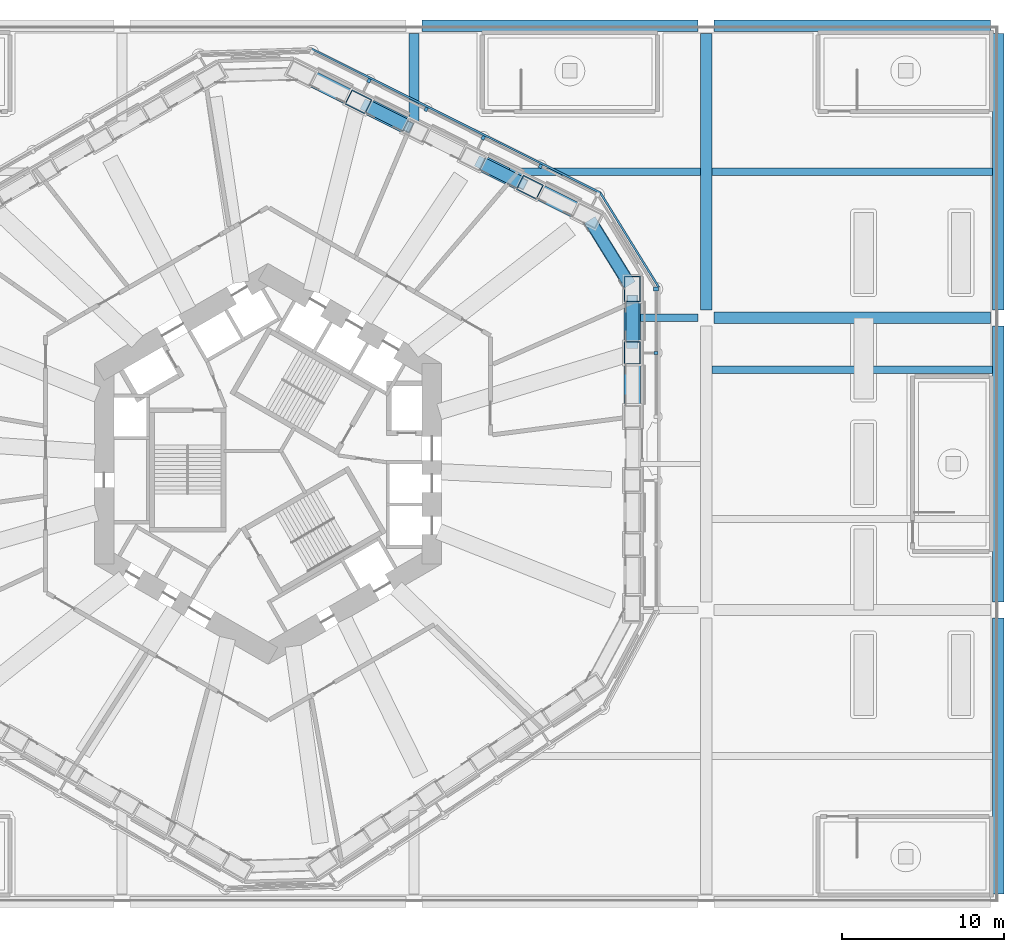
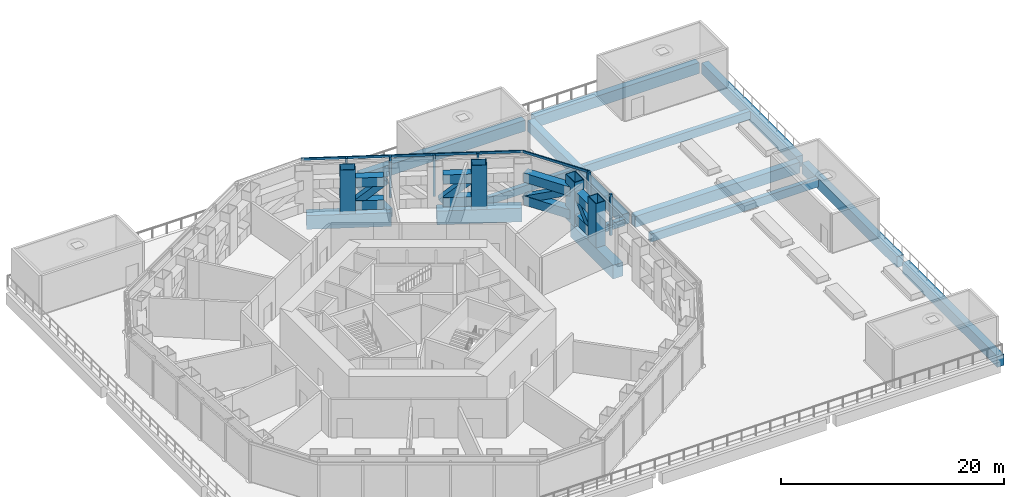
# One storey, part 4 of 20: 24 members, 15 beams, 3 elements without a shape of their own.
"""IFC4 building model written with IfcOpenShell, lengths in metres."""

from ifc_helpers import new_model, si_unit, direction, frame, origin, origin_2d, place, context, subcontext, project, spatial, rectangle, hollow_rectangle, extrude, material, material_profile, profile_set, type_object, element, aggregate, save


model = new_model("IFC4")

# Units and contexts
model_context = context("Model", 3, precision=1e-05, world=origin(), true_north=direction((0.0, 1.0)))
body_context = subcontext(model_context, "Body", "Model", "MODEL_VIEW")
ifc_project = project(units=[si_unit("LENGTHUNIT", "METRE"), si_unit("AREAUNIT", "SQUARE_METRE"), si_unit("VOLUMEUNIT", "CUBIC_METRE"), si_unit("PLANEANGLEUNIT", "RADIAN"), si_unit("MASSUNIT", "GRAM", prefix="KILO")], contexts=[model_context])

# Site, building, storey
site_placement = place(None, origin())
site = spatial("IfcSite", under=ifc_project, at=site_placement, CompositionType="ELEMENT")
building_placement = place(site_placement, origin())
building = spatial("IfcBuilding", under=site, at=building_placement, Name="Vanh Sen Convention Tower", CompositionType="ELEMENT")
storey_placement = place(building_placement, frame((0.0, 0.0, 34.5)))
storey = spatial("IfcBuildingStorey", under=building, at=storey_placement, Name="L05", CompositionType="ELEMENT", Elevation=34.5)

# Curtain wall, members
ifc_material_1 = material(Name="Concrete C50/60", Category="concrete")
curtain_wall_type = type_object("IfcCurtainWallType", Name="Outer skin hotel zone", PredefinedType="NOTDEFINED", material=ifc_material_1)
curtain_wall_1_placement = place(storey_placement, origin())
curtain_wall_1 = element("IfcCurtainWall", 1, at=curtain_wall_1_placement, inside=storey, type_object=curtain_wall_type, Name="OUTER SKIN E L05", PredefinedType="NOTDEFINED")
ifc_material_profile_1 = material_profile(ifc_material_1, rectangle(XDim=0.25, YDim=0.300048828125, at=origin_2d()), Name="Outer skin precast corner fin 250 x 300")
ifc_profile_set_1 = profile_set([ifc_material_profile_1], Name="Concrete C50/60")
member_type_1 = type_object("IfcMemberType", Name="Outer skin precast corner fin 250 x 300", PredefinedType="MULLION", material=ifc_profile_set_1)
member_1_placement = place(storey_placement, frame((23.89990234375, 10.773681640625, 0.0), z_axis=(0.0, 0.0, 1.0), x_axis=(0.0, 1.0, 0.0)))
member_1 = element("IfcMember", 2, at=member_1_placement, type_object=member_type_1, Name="OUTER SKIN CORNER FIN 6 E L05", PredefinedType="MULLION", context=body_context, shape_type="SweptSolid", body=[
    extrude(rectangle(XDim=0.25, YDim=0.300048828125, at=origin_2d()), origin(), (0.0, 0.0, 1.0), 4.5),
])
ifc_material_profile_2 = material_profile(ifc_material_1, rectangle(XDim=0.199951171875, YDim=0.25, at=origin_2d()), Name="Outer skin precast fin 200 x 250")
ifc_profile_set_2 = profile_set([ifc_material_profile_2], Name="Concrete C50/60")
member_type_2 = type_object("IfcMemberType", Name="Outer skin precast fin 200 x 250", PredefinedType="MULLION", material=ifc_profile_set_2)
member_2_placement = place(storey_placement, frame((23.89990234375, 6.839111328125, 0.0), z_axis=(0.0, 0.0, 1.0), x_axis=(0.0, 1.0, 0.0)))
member_2 = element("IfcMember", 3, at=member_2_placement, type_object=member_type_2, Name="OUTER SKIN fin 5 E L05", PredefinedType="MULLION", context=body_context, shape_type="SweptSolid", body=[
    extrude(rectangle(XDim=0.199951171875, YDim=0.25, at=origin_2d()), origin(), (0.0, 0.0, 1.0), 4.5),
])
aggregate(curtain_wall_1, [member_2, member_1])

curtain_wall_2_placement = place(storey_placement, origin())
curtain_wall_2 = element("IfcCurtainWall", 4, at=curtain_wall_2_placement, inside=storey, type_object=curtain_wall_type, Name="OUTER SKIN NE L05", PredefinedType="NOTDEFINED")
member_3_placement = place(storey_placement, frame((16.78466796875, 18.33740234375, 0.0), z_axis=(0.0, 0.0, 1.0), x_axis=(-0.894934361602, 0.44619781311, 0.0)))
member_3 = element("IfcMember", 5, at=member_3_placement, type_object=member_type_2, Name="OUTER SKIN fin 2 NE L05", PredefinedType="MULLION", context=body_context, shape_type="SweptSolid", body=[
    extrude(rectangle(XDim=0.199951171875, YDim=0.25, at=origin_2d()), origin(), (0.0, 0.0, 1.0), 4.5),
])
member_4_placement = place(storey_placement, frame((13.263427734375, 20.093017578125, 0.0), z_axis=(0.0, 0.0, 1.0), x_axis=(-0.894934361602, 0.44619781311, 0.0)))
member_4 = element("IfcMember", 6, at=member_4_placement, type_object=member_type_2, Name="OUTER SKIN fin 3 NE L05", PredefinedType="MULLION", context=body_context, shape_type="SweptSolid", body=[
    extrude(rectangle(XDim=0.199951171875, YDim=0.25, at=origin_2d()), origin(), (0.0, 0.0, 1.0), 4.5),
])
member_5_placement = place(storey_placement, frame((9.7421875, 21.8486328125, 0.0), z_axis=(0.0, 0.0, 1.0), x_axis=(-0.894934361602, 0.44619781311, 0.0)))
member_5 = element("IfcMember", 7, at=member_5_placement, type_object=member_type_2, Name="OUTER SKIN fin 4 NE L05", PredefinedType="MULLION", context=body_context, shape_type="SweptSolid", body=[
    extrude(rectangle(XDim=0.199951171875, YDim=0.25, at=origin_2d()), origin(), (0.0, 0.0, 1.0), 4.5),
])
member_6_placement = place(storey_placement, frame((6.22119140625, 23.604248046875, 0.0), z_axis=(0.0, 0.0, 1.0), x_axis=(-0.894934361602, 0.44619781311, 0.0)))
member_6 = element("IfcMember", 8, at=member_6_placement, type_object=member_type_2, Name="OUTER SKIN fin 5 NE L05", PredefinedType="MULLION", context=body_context, shape_type="SweptSolid", body=[
    extrude(rectangle(XDim=0.199951171875, YDim=0.25, at=origin_2d()), origin(), (0.0, 0.0, 1.0), 4.5),
])

# Curtain wall, member
curtain_wall_3_placement = place(storey_placement, origin())
curtain_wall_3 = element("IfcCurtainWall", 9, at=curtain_wall_3_placement, inside=storey, type_object=curtain_wall_type, Name="OUTER SKIN CH1 L05", PredefinedType="NOTDEFINED")
ifc_material_profile_3 = material_profile(ifc_material_1, rectangle(XDim=0.1201171875, YDim=0.25, at=origin_2d()), Name="Outer skin precast spandrel band 250 x 120")
ifc_profile_set_3 = profile_set([ifc_material_profile_3], Name="Concrete C50/60")
member_type_3 = type_object("IfcMemberType", Name="Outer skin precast spandrel band 250 x 120", PredefinedType="USERDEFINED", material=ifc_profile_set_3)
member_7_placement = place(storey_placement, frame((24.07861328125, 10.88427734375, 4.375), z_axis=(-0.526195864379, 0.850363400148, 0.0), x_axis=(-0.850363400148, -0.526195864379, 0.0)))
member_7 = element("IfcMember", 10, at=member_7_placement, type_object=member_type_3, Name="OUTER SKIN spandrel band CH1 L05", ObjectType="TRANSOM", PredefinedType="USERDEFINED", context=body_context, shape_type="SweptSolid", body=[
    extrude(rectangle(XDim=0.1201171875, YDim=0.25, at=origin_2d()), origin(), (0.0, 0.0, 1.0), 6.830078125),
])
aggregate(curtain_wall_3, [member_7])

# Member
member_8_placement = place(storey_placement, frame((20.500244140625, 16.69140625, 4.375), z_axis=(-0.894931498167, 0.446203556227, 0.0), x_axis=(-0.446203556227, -0.894931498167, 0.0)))
member_8 = element("IfcMember", 11, at=member_8_placement, type_object=member_type_3, Name="OUTER SKIN spandrel band NE L05", ObjectType="TRANSOM", PredefinedType="USERDEFINED", context=body_context, shape_type="SweptSolid", body=[
    extrude(rectangle(XDim=0.1201171875, YDim=0.25, at=origin_2d()), origin(), (0.0, 0.0, 1.0), 19.9228515625),
])

aggregate(curtain_wall_2, [member_3, member_4, member_5, member_6, member_8])

# Beams
ifc_material_2 = material(Name="Concrete C50/60", Category="concrete")
ifc_material_profile_4 = material_profile(ifc_material_2, rectangle(XDim=0.449951171875, YDim=0.699951171875, at=origin_2d()), Name="RC 450X700")
ifc_profile_set_4 = profile_set([ifc_material_profile_4], Name="Concrete C50/60")
beam_type_1 = type_object("IfcBeamType", Name="Podium girder 450 x 700", PredefinedType="BEAM", material=ifc_profile_set_4)
beam_1_placement = place(storey_placement, frame((22.945068359375, 9.0, -0.699951171875), z_axis=(1.0, 0.0, 0.0), x_axis=(0.0, 1.0, 0.0)))
element("IfcBeam", 12, at=beam_1_placement, inside=storey, type_object=beam_type_1, Name="Podium girder 22 L05", PredefinedType="BEAM", context=body_context, shape_type="SweptSolid", body=[
    extrude(rectangle(XDim=0.449951171875, YDim=0.699951171875, at=origin_2d()), origin(), (0.0, 0.0, 1.0), 3.559814453125),
])
ifc_material_profile_5 = material_profile(ifc_material_2, rectangle(XDim=0.60009765625, YDim=0.89990234375, at=origin_2d()), Name="RC 600X900")
ifc_profile_set_5 = profile_set([ifc_material_profile_5], Name="Concrete C50/60")
beam_type_2 = type_object("IfcBeamType", Name="Podium girder 600 x 900", PredefinedType="BEAM", material=ifc_profile_set_5)
beam_2_placement = place(storey_placement, frame((9.0, 20.652099609375, -0.800048828125), z_axis=(0.0, 1.0, 0.0), x_axis=(-1.0, 0.0, 0.0)))
element("IfcBeam", 13, at=beam_2_placement, inside=storey, type_object=beam_type_2, Name="Podium girder 07 L05", PredefinedType="BEAM", context=body_context, shape_type="SweptSolid", body=[
    extrude(rectangle(XDim=0.60009765625, YDim=0.89990234375, at=origin_2d()), origin(), (0.0, 0.0, 1.0), 5.852783203125),
])
ifc_material_profile_6 = material_profile(ifc_material_2, rectangle(XDim=0.699951171875, YDim=1.199951171875, at=origin_2d()), Name="RC 700X1200")
ifc_profile_set_6 = profile_set([ifc_material_profile_6], Name="Concrete C50/60")
beam_type_3 = type_object("IfcBeamType", Name="Podium girder 700 x 1200", PredefinedType="BEAM", material=ifc_profile_set_6)
for number, where, z_axis, x_axis, name in (
    (14, (27.0, 9.4951171875, -0.949951171875), (0.0, 1.0, 0.0), (-1.0, 0.0, 0.0), "Podium girder 10 L05"),
    (15, (45.0, -26.5048828125, -0.949951171875), (0.0, 1.0, 0.0), (-1.0, 0.0, 0.0), "Podium girder 11 L05"),
    (16, (45.0, -8.5048828125, -0.949951171875), (0.0, 1.0, 0.0), (-1.0, 0.0, 0.0), "Podium girder 12 L05"),
    (17, (45.0, 9.4951171875, -0.949951171875), (0.0, 1.0, 0.0), (-1.0, 0.0, 0.0), "Podium girder 13 L05"),
    (18, (27.4951171875, 9.0, -0.949951171875), (1.0, 0.0, 0.0), (0.0, 1.0, 0.0), "Podium girder 23 L05"),
    (19, (9.4951171875, 27.0, -0.949951171875), (1.0, 0.0, 0.0), (0.0, 1.0, 0.0), "Podium girder 26 L05"),
    (20, (27.4951171875, 27.0, -0.949951171875), (1.0, 0.0, 0.0), (0.0, 1.0, 0.0), "Podium girder 27 L05"),
):
    element("IfcBeam", number, at=place(storey_placement, frame(where, z_axis=z_axis, x_axis=x_axis)), inside=storey, type_object=beam_type_3, Name=name, PredefinedType="BEAM", context=body_context, shape_type="SweptSolid", body=[
        extrude(rectangle(XDim=0.699951171875, YDim=1.199951171875, at=origin_2d()), origin(), (0.0, 0.0, 1.0), 17.009765625),
    ])
ifc_material_profile_7 = material_profile(ifc_material_2, rectangle(XDim=1.0, YDim=1.5, at=origin_2d()), Name="RC 1000X1500")
ifc_profile_set_7 = profile_set([ifc_material_profile_7], Name="Concrete C50/60")
beam_type_4 = type_object("IfcBeamType", Name="Podium ring girder 1000 x 1500", PredefinedType="BEAM", material=ifc_profile_set_7)
beam_3_placement = place(storey_placement, frame((22.449951171875, 3.0322265625, -1.10009765625), z_axis=(0.0, 1.0, 0.0), x_axis=(-1.0, 0.0, 0.0)))
element("IfcBeam", 21, at=beam_3_placement, inside=storey, type_object=beam_type_4, Name="Ring girder 01 L05", PredefinedType="BEAM", context=body_context, shape_type="SweptSolid", body=[
    extrude(rectangle(XDim=1.0, YDim=1.5, at=origin_2d()), origin(), (0.0, 0.0, 1.0), 7.646728515625),
])
beam_4_placement = place(storey_placement, frame((19.57421875, 15.326416015625, -1.10009765625), z_axis=(-0.894943809109, 0.44617886384, 0.0), x_axis=(-0.44617886384, -0.894943809109, 0.0)))
element("IfcBeam", 22, at=beam_4_placement, inside=storey, type_object=beam_type_4, Name="Ring girder 02 L05", PredefinedType="BEAM", context=body_context, shape_type="SweptSolid", body=[
    extrude(rectangle(XDim=1.0, YDim=1.5, at=origin_2d()), origin(), (0.0, 0.0, 1.0), 7.64697265625),
])
beam_5_placement = place(storey_placement, frame((9.069580078125, 20.563720703125, -1.10009765625), z_axis=(-0.894933951272, 0.446198636105, 0.0), x_axis=(-0.446198636105, -0.894933951272, 0.0)))
element("IfcBeam", 23, at=beam_5_placement, inside=storey, type_object=beam_type_4, Name="Ring girder 03 L05", PredefinedType="BEAM", context=body_context, shape_type="SweptSolid", body=[
    extrude(rectangle(XDim=1.0, YDim=1.5, at=origin_2d()), origin(), (0.0, 0.0, 1.0), 7.603271484375),
])
ifc_material_profile_8 = material_profile(ifc_material_2, rectangle(XDim=0.449951171875, YDim=0.800048828125, at=origin_2d()), Name="RC 450X800")
ifc_profile_set_8 = profile_set([ifc_material_profile_8], Name="Concrete C50/60")
beam_type_5 = type_object("IfcBeamType", Name="Podium secondary beam 450 x 800", PredefinedType="BEAM", material=ifc_profile_set_8)
beam_6_placement = place(storey_placement, frame((14.8759765625, 18.0, -0.75), z_axis=(1.0, 0.0, 0.0), x_axis=(0.0, 1.0, 0.0)))
element("IfcBeam", 24, at=beam_6_placement, inside=storey, type_object=beam_type_5, Name="Podium secondary beam 09 L05", PredefinedType="BEAM", context=body_context, shape_type="SweptSolid", body=[
    extrude(rectangle(XDim=0.449951171875, YDim=0.800048828125, at=origin_2d()), origin(), (0.0, 0.0, 1.0), 11.779052734375),
])
ifc_material_profile_9 = material_profile(ifc_material_2, rectangle(XDim=0.449951171875, YDim=0.89990234375, at=origin_2d()), Name="RC 450X900")
ifc_profile_set_9 = profile_set([ifc_material_profile_9], Name="Concrete C50/60")
beam_type_6 = type_object("IfcBeamType", Name="Podium secondary beam 450 x 900", PredefinedType="BEAM", material=ifc_profile_set_9)
for number, where, z_axis, x_axis, name in (
    (25, (27.344970703125, 5.800048828125, -0.800048828125), (1.0, 0.0, 0.0), (0.0, 1.0, 0.0), "Podium secondary beam 07 L05"),
    (26, (27.344970703125, 18.0, -0.800048828125), (1.0, 0.0, 0.0), (0.0, 1.0, 0.0), "Podium secondary beam 10 L05"),
):
    element("IfcBeam", number, at=place(storey_placement, frame(where, z_axis=z_axis, x_axis=x_axis)), inside=storey, type_object=beam_type_6, Name=name, PredefinedType="BEAM", context=body_context, shape_type="SweptSolid", body=[
        extrude(rectangle(XDim=0.449951171875, YDim=0.89990234375, at=origin_2d()), origin(), (0.0, 0.0, 1.0), 17.31005859375),
    ])

# Members
ifc_material_3 = material(Name="Steel S460", Category="steel")
ifc_material_profile_10 = material_profile(ifc_material_3, hollow_rectangle(XDim=0.800048828125, YDim=1.0, WallThickness=0.06005859375, at=origin_2d()), Name="BOX 1000X800X60")
ifc_profile_set_10 = profile_set([ifc_material_profile_10], Name="Steel S460")
member_type_4 = type_object("IfcMemberType", Name="Transfer truss chord BOX 1000X800X60", PredefinedType="CHORD", material=ifc_profile_set_10)
for number, where, z_axis, x_axis, name in (
    (27, (22.449951171875, 7.5341796875, 0.5), (0.0, 1.0, 0.0), (-1.0, 0.0, 0.0), "TRANSFER TRUSS chord bottom 05"),
    (28, (22.449951171875, 7.5341796875, 3.0), (0.0, 1.0, 0.0), (-1.0, 0.0, 0.0), "TRANSFER TRUSS chord top 05"),
):
    element("IfcMember", number, at=place(storey_placement, frame(where, z_axis=z_axis, x_axis=x_axis)), inside=storey, type_object=member_type_4, Name=name, PredefinedType="CHORD", context=body_context, shape_type="SweptSolid", body=[
        extrude(hollow_rectangle(XDim=0.800048828125, YDim=1.0, WallThickness=0.06005859375, at=origin_2d()), origin(), (0.0, 0.0, 1.0), 2.444580078125),
    ])
for number, where, z_axis, x_axis, name in (
    (29, (22.292724609375, 11.02783203125, 0.5), (-0.526202813031, 0.850359100356, 0.0), (-0.850359100356, -0.526202813031, 0.0), "TRANSFER TRUSS chord bottom 06"),
    (30, (22.292724609375, 11.02783203125, 3.0), (-0.526202813031, 0.850359100356, 0.0), (-0.850359100356, -0.526202813031, 0.0), "TRANSFER TRUSS chord top 06"),
):
    element("IfcMember", number, at=place(storey_placement, frame(where, z_axis=z_axis, x_axis=x_axis)), inside=storey, type_object=member_type_4, Name=name, PredefinedType="CHORD", context=body_context, shape_type="SweptSolid", body=[
        extrude(hollow_rectangle(XDim=0.800048828125, YDim=1.0, WallThickness=0.06005859375, at=origin_2d()), origin(), (0.0, 0.0, 1.0), 4.70654296875),
    ])
for number, where, z_axis, x_axis, name in (
    (31, (15.515625, 17.349853515625, 0.5), (-0.89494473173, 0.446177013246, 0.0), (-0.446177013246, -0.89494473173, 0.0), "TRANSFER TRUSS chord bottom 08"),
    (32, (15.515625, 17.349853515625, 3.0), (-0.89494473173, 0.446177013246, 0.0), (-0.446177013246, -0.89494473173, 0.0), "TRANSFER TRUSS chord top 08"),
):
    element("IfcMember", number, at=place(storey_placement, frame(where, z_axis=z_axis, x_axis=x_axis)), inside=storey, type_object=member_type_4, Name=name, PredefinedType="CHORD", context=body_context, shape_type="SweptSolid", body=[
        extrude(hollow_rectangle(XDim=0.800048828125, YDim=1.0, WallThickness=0.06005859375, at=origin_2d()), origin(), (0.0, 0.0, 1.0), 2.54443359375),
    ])
for number, where, z_axis, x_axis, name in (
    (33, (8.473388671875, 20.861083984375, 0.5), (-0.89496383082, 0.446138702113, 0.0), (-0.446138702113, -0.89496383082, 0.0), "TRANSFER TRUSS chord bottom 10"),
    (34, (8.473388671875, 20.861083984375, 3.0), (-0.89496383082, 0.446138702113, 0.0), (-0.446138702113, -0.89496383082, 0.0), "TRANSFER TRUSS chord top 10"),
):
    element("IfcMember", number, at=place(storey_placement, frame(where, z_axis=z_axis, x_axis=x_axis)), inside=storey, type_object=member_type_4, Name=name, PredefinedType="CHORD", context=body_context, shape_type="SweptSolid", body=[
        extrude(hollow_rectangle(XDim=0.800048828125, YDim=1.0, WallThickness=0.06005859375, at=origin_2d()), origin(), (0.0, 0.0, 1.0), 2.544677734375),
    ])
ifc_material_4 = material(Name="Steel S355", Category="steel")
ifc_material_profile_11 = material_profile(ifc_material_4, hollow_rectangle(XDim=0.699951171875, YDim=0.699951171875, WallThickness=0.050048828125, at=origin_2d()), Name="BOX 700X700X50")
ifc_profile_set_11 = profile_set([ifc_material_profile_11], Name="Steel S355")
member_type_5 = type_object("IfcMemberType", Name="Transfer truss diagonal BOX 700X700X50", PredefinedType="BRACE", material=ifc_profile_set_11)
member_9_placement = place(storey_placement, frame((22.449951171875, 7.346435546875, 0.5), z_axis=(0.0, 0.748295047752, 0.663366053933), x_axis=(-1.0, 0.0, 0.0)))
element("IfcMember", 35, at=member_9_placement, inside=storey, type_object=member_type_5, Name="TRANSFER TRUSS diagonal 05", PredefinedType="BRACE", context=body_context, shape_type="SweptSolid", body=[
    extrude(hollow_rectangle(XDim=0.699951171875, YDim=0.699951171875, WallThickness=0.050048828125, at=origin_2d()), origin(), (0.0, 0.0, 1.0), 3.7685546875),
])
member_10_placement = place(storey_placement, frame((22.328857421875, 10.969482421875, 3.0), z_axis=(-0.467617252896, 0.755622898118, -0.458659067974), x_axis=(-0.850340333062, -0.526233140318, 0.0)))
element("IfcMember", 36, at=member_10_placement, inside=storey, type_object=member_type_5, Name="TRANSFER TRUSS diagonal 06", PredefinedType="BRACE", context=body_context, shape_type="SweptSolid", body=[
    extrude(hollow_rectangle(XDim=0.699951171875, YDim=0.699951171875, WallThickness=0.050048828125, at=origin_2d()), origin(), (0.0, 0.0, 1.0), 5.45068359375),
])
member_11_placement = place(storey_placement, frame((15.68359375, 17.26611328125, 3.0), z_axis=(-0.679799217065, 0.33891512868, -0.65039185114), x_axis=(-0.446176453184, -0.89494501095, 0.0)))
element("IfcMember", 37, at=member_11_placement, inside=storey, type_object=member_type_5, Name="TRANSFER TRUSS diagonal 08", PredefinedType="BRACE", context=body_context, shape_type="SweptSolid", body=[
    extrude(hollow_rectangle(XDim=0.699951171875, YDim=0.699951171875, WallThickness=0.050048828125, at=origin_2d()), origin(), (0.0, 0.0, 1.0), 3.84375),
])
member_12_placement = place(storey_placement, frame((8.641357421875, 20.77734375, 3.0), z_axis=(-0.679833377766, 0.338900495493, -0.650363769462), x_axis=(-0.446143067109, -0.89496165486, 0.0)))
element("IfcMember", 38, at=member_12_placement, inside=storey, type_object=member_type_5, Name="TRANSFER TRUSS diagonal 10", PredefinedType="BRACE", context=body_context, shape_type="SweptSolid", body=[
    extrude(hollow_rectangle(XDim=0.699951171875, YDim=0.699951171875, WallThickness=0.050048828125, at=origin_2d()), origin(), (0.0, 0.0, 1.0), 3.843994140625),
])
ifc_material_profile_12 = material_profile(ifc_material_3, hollow_rectangle(XDim=1.39990234375, YDim=1.0, WallThickness=0.06005859375, at=origin_2d()), Name="BOX 1000X1400X60")
ifc_profile_set_12 = profile_set([ifc_material_profile_12], Name="Steel S460")
member_type_6 = type_object("IfcMemberType", Name="Transfer truss post BOX 1000X1400X60", PredefinedType="POST", material=ifc_profile_set_12)
for number, where, z_axis, x_axis, name in (
    (39, (22.449951171875, 6.839111328125, -0.35009765625), (0.0, 0.0, 1.0), (0.0, 1.0, 0.0), "TRANSFER TRUSS post 05"),
    (40, (16.1376953125, 17.039794921875, -0.35009765625), (0.0, 0.0, 1.0), (-0.894934361602, 0.44619781311, 0.0), "TRANSFER TRUSS post 08"),
    (41, (5.57421875, 22.306396484375, -0.35009765625), (0.0, 0.0, 1.0), (-0.894934361602, 0.44619781311, 0.0), "TRANSFER TRUSS post 11"),
):
    element("IfcMember", number, at=place(storey_placement, frame(where, z_axis=z_axis, x_axis=x_axis)), inside=storey, type_object=member_type_6, Name=name, PredefinedType="POST", context=body_context, shape_type="SweptSolid", body=[
        extrude(hollow_rectangle(XDim=1.39990234375, YDim=1.0, WallThickness=0.06005859375, at=origin_2d()), origin(), (0.0, 0.0, 1.0), 4.85009765625),
    ])
ifc_material_profile_13 = material_profile(ifc_material_3, hollow_rectangle(XDim=1.60009765625, YDim=1.0, WallThickness=0.06005859375, at=origin_2d()), Name="BOX 1000X1600X60")
ifc_profile_set_13 = profile_set([ifc_material_profile_13], Name="Steel S460")
member_type_7 = type_object("IfcMemberType", Name="Transfer truss post BOX 1000X1600X60", PredefinedType="POST", material=ifc_profile_set_13)
member_13_placement = place(storey_placement, frame((22.449951171875, 10.773681640625, -0.35009765625), z_axis=(0.0, 0.0, 1.0), x_axis=(0.0, 1.0, 0.0)))
element("IfcMember", 42, at=member_13_placement, inside=storey, type_object=member_type_7, Name="TRANSFER TRUSS post 06", PredefinedType="POST", context=body_context, shape_type="SweptSolid", body=[
    extrude(hollow_rectangle(XDim=1.60009765625, YDim=1.0, WallThickness=0.06005859375, at=origin_2d()), origin(), (0.0, 0.0, 1.0), 4.85009765625),
])

save(model, "model.ifc")
